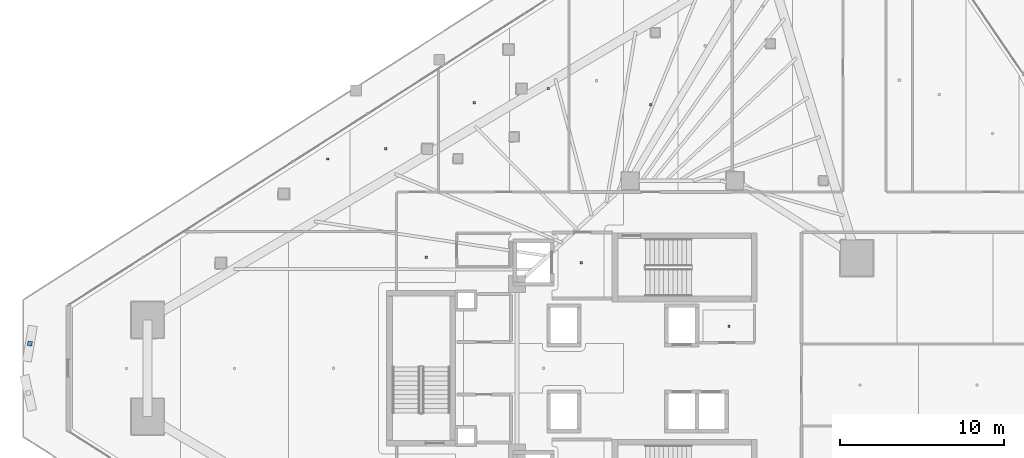
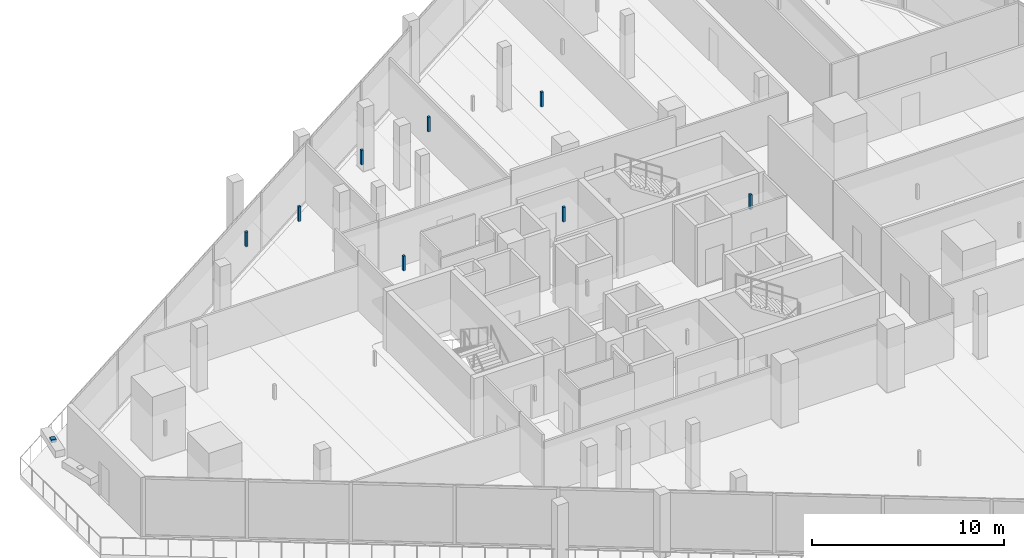
# One storey, part 32 of 42: 9 discrete accessories.
"""IFC4 building model written with IfcOpenShell, lengths in metres."""

from ifc_helpers import new_model, si_unit, direction, frame, origin, origin_2d, place, context, subcontext, project, spatial, rectangle, extrude, material, type_object, element, save


model = new_model("IFC4")

# Units and contexts
model_context = context("Model", 3, precision=1e-05, world=origin(), true_north=direction((0.0, 1.0)))
body_context = subcontext(model_context, "Body", "Model", "MODEL_VIEW")
ifc_project = project(units=[si_unit("LENGTHUNIT", "METRE"), si_unit("AREAUNIT", "SQUARE_METRE"), si_unit("VOLUMEUNIT", "CUBIC_METRE"), si_unit("PLANEANGLEUNIT", "RADIAN"), si_unit("MASSUNIT", "GRAM", prefix="KILO")], contexts=[model_context])

# Site, building, storey
site_placement = place(None, origin())
site = spatial("IfcSite", under=ifc_project, at=site_placement, CompositionType="ELEMENT")
building_placement = place(site_placement, origin())
building = spatial("IfcBuilding", under=site, at=building_placement, Name="Qorvath Tower", CompositionType="ELEMENT")
storey_placement = place(building_placement, frame((0.0, 0.0, 121.949951171875)))
storey = spatial("IfcBuildingStorey", under=building, at=storey_placement, Name="L27", CompositionType="ELEMENT", Elevation=121.949951171875)

# Discrete accessories
ifc_material = material(Name="Galvanised steel bracket", Category="steel")
discrete_accessory_type = type_object("IfcDiscreteAccessoryType", Name="DA-BRACKET", PredefinedType="BRACKET", material=ifc_material)
discrete_accessory_placement = place(storey_placement, frame((-60.2392578125, 1.505615234375, 3.6298828125), z_axis=(0.0, 0.0, 1.0), x_axis=(-0.167371026267, -0.985893979881, 0.0)))
element("IfcDiscreteAccessory", 1, at=discrete_accessory_placement, inside=storey, type_object=discrete_accessory_type, Name="Louvre Wave Support Bracket L27-01", PredefinedType="NOTDEFINED", context=body_context, shape_type="SweptSolid", body=[
    extrude(rectangle(XDim=0.280029296875, YDim=0.280029296875, at=origin_2d()), origin(), (0.0, 0.0, 1.0), 0.199951171875),
])
for number, where, z_axis, x_axis, name in (
    (2, (-26.590087890625, 6.449951171875, 2.860107421875), (0.0, 0.0, 1.0), (1.0, 0.0, 0.0), "Acoustic Ceiling Suspension Hanger T1-L27-001"),
    (3, (-17.572509765625, 2.5625, 2.860107421875), (0.0, 0.0, 1.0), (1.0, 0.0, 0.0), "Acoustic Ceiling Suspension Hanger T1-L27-003"),
    (4, (-36.040283203125, 6.782470703125, 2.860107421875), (0.0, 0.0, 1.0), (1.0, 0.0, 0.0), "Acoustic Ceiling Suspension Hanger T1-L27-009"),
    (5, (-42.062744140625, 12.78076171875, 2.860107421875), (0.0, 0.0, 1.0), (1.0, 0.0, 0.0), "Acoustic Ceiling Suspension Hanger T1-L27-011"),
    (6, (-38.52099609375, 13.402099609375, 2.860107421875), (0.0, 0.0, 1.0), (1.0, 0.0, 0.0), "Acoustic Ceiling Suspension Hanger T1-L27-012"),
    (7, (-33.118408203125, 16.217041015625, 2.860107421875), (0.0, 0.0, 1.0), (1.0, 0.0, 0.0), "Acoustic Ceiling Suspension Hanger T1-L27-013"),
    (8, (-28.5927734375, 17.080810546875, 2.860107421875), (0.0, 0.0, 1.0), (1.0, 0.0, 0.0), "Acoustic Ceiling Suspension Hanger T1-L27-014"),
    (9, (-22.34033203125, 16.088623046875, 2.860107421875), (0.0, 0.0, 1.0), (1.0, 0.0, 0.0), "Acoustic Ceiling Suspension Hanger T1-L27-016"),
):
    element("IfcDiscreteAccessory", number, at=place(storey_placement, frame(where, z_axis=z_axis, x_axis=x_axis)), inside=storey, type_object=discrete_accessory_type, Name=name, PredefinedType="NOTDEFINED", context=body_context, shape_type="SweptSolid", body=[
        extrude(rectangle(XDim=0.139892578125, YDim=0.139892578125, at=origin_2d()), origin(), (0.0, 0.0, 1.0), 0.93994140625),
    ])

save(model, "model.ifc")
